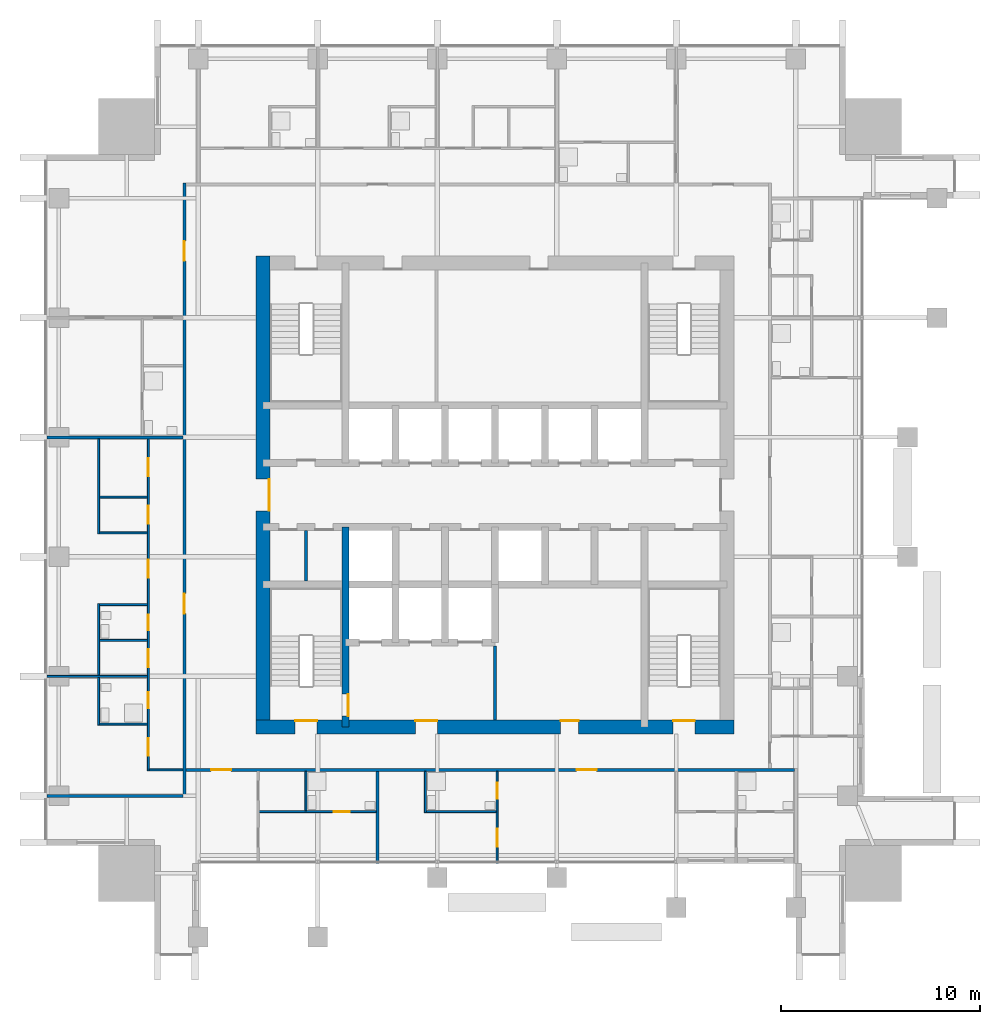
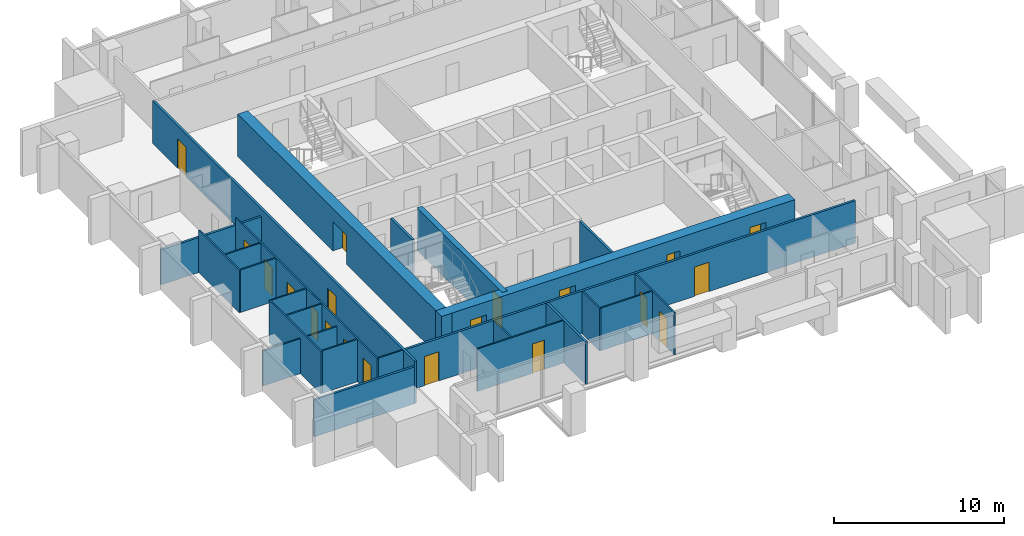
# One storey, part 8 of 14: 25 walls, 20 doors, 20 openings.
"""IFC4 building model written with IfcOpenShell, lengths in metres."""

from ifc_helpers import new_model, si_unit, direction, frame, frame_2d, origin, place, context, subcontext, project, spatial, rectangle, extrude, material, layer, layer_set, type_object, element, fill, save


model = new_model("IFC4")

# Units and contexts
model_context = context("Model", 3, precision=1e-05, world=origin(), true_north=direction((0.0, 1.0)))
body_context = subcontext(model_context, "Body", "Model", "MODEL_VIEW")
ifc_project = project(units=[si_unit("LENGTHUNIT", "METRE"), si_unit("AREAUNIT", "SQUARE_METRE"), si_unit("VOLUMEUNIT", "CUBIC_METRE"), si_unit("PLANEANGLEUNIT", "RADIAN"), si_unit("MASSUNIT", "GRAM", prefix="KILO")], contexts=[model_context])

# Site, building, storey
site_placement = place(None, origin())
site = spatial("IfcSite", under=ifc_project, at=site_placement, CompositionType="ELEMENT")
building_placement = place(site_placement, origin())
building = spatial("IfcBuilding", under=site, at=building_placement, Name="Amberfall Residences", CompositionType="ELEMENT")
storey_placement = place(building_placement, frame((0.0, 0.0, 168.10009765625)))
storey = spatial("IfcBuildingStorey", under=building, at=storey_placement, Name="L45", CompositionType="ELEMENT", Elevation=168.10009765625)

# Wall, opening, door
ifc_material_1 = material(Name="Concrete C60", Category="concrete")
ifc_layer_1 = layer(ifc_material_1, 0.35009765625)
ifc_layer_set_1 = layer_set([ifc_layer_1], Name="Core wall 350 C60")
wall_type_1 = type_object("IfcWallType", Name="Core wall 350 C60", PredefinedType="SHEAR", material=ifc_layer_set_1)
wall_1_placement = place(storey_placement, frame((67.0, 33.85009765625, 0.0), z_axis=(0.0, 0.0, 1.0), x_axis=(0.0, 1.0, 0.0)))
wall_1 = element("IfcWall", 1, at=wall_1_placement, inside=storey, type_object=wall_type_1, Name="Core wall RW6 L45 V45S", PredefinedType="SHEAR", context=body_context, shape_type="SweptSolid", body=[
    extrude(rectangle(XDim=10.0498046875, YDim=0.35009765625, at=frame_2d((5.02490234375, 0.0))), origin(), (0.0, 0.0, 1.0), 3.0498046875),
])
opening_1_placement = place(wall_1_placement, frame((0.550048828125, 0.0, 0.0)))
opening_1 = element("IfcOpeningElement", 2, at=opening_1_placement, cuts=wall_1, Name="Opening FL1", PredefinedType="OPENING", context=body_context, shape_type="SweptSolid", body=[
    extrude(rectangle(XDim=1.10009765625, YDim=2.10009765625, at=frame_2d((0.550048828125, 1.050048828125))), frame((0.0, 0.18505859375, 0.0), z_axis=(0.0, -1.0, 0.0), x_axis=(1.0, 0.0, 0.0)), (0.0, 0.0, 1.0), 0.3701171875),
])
ifc_material_2 = material(Name="Steel fire door set", Category="steel")
door_type_1 = type_object("IfcDoorType", Name="Firefighting lobby door 1100 x 2100", OperationType="SINGLE_SWING_LEFT", PredefinedType="DOOR", material=ifc_material_2)
door_1_placement = place(opening_1_placement, origin())
door_1 = element("IfcDoor", 3, at=door_1_placement, inside=storey, type_object=door_type_1, Name="FL1 L45", OperationType="SINGLE_SWING_RIGHT", OverallHeight=2.10009765625, OverallWidth=1.10009765625, PredefinedType="DOOR", context=body_context, shape_type="SweptSolid", body=[
    extrude(rectangle(XDim=1.10009765625, YDim=2.10009765625, at=frame_2d((0.550048828125, 1.050048828125))), frame((0.0, -0.1123046875, 0.0), z_axis=(0.0, -1.0, 0.0), x_axis=(1.0, 0.0, 0.0)), (0.0, 0.0, 1.0), 0.050048828125),
])
fill(opening_1, door_1)

# Wall, openings, doors
ifc_layer_2 = layer(ifc_material_1, 0.699951171875)
ifc_layer_set_2 = layer_set([ifc_layer_2], Name="Core wall 700 C60")
wall_type_2 = type_object("IfcWallType", Name="Core wall 700 C60", PredefinedType="SHEAR", material=ifc_layer_set_2)
wall_2_placement = place(storey_placement, frame((62.5, 33.85009765625, 0.0), z_axis=(0.0, 0.0, 1.0), x_axis=(1.0, 0.0, 0.0)))
wall_2 = element("IfcWall", 4, at=wall_2_placement, inside=storey, type_object=wall_type_2, Name="Core wall RW5 L45 OS", PredefinedType="SHEAR", context=body_context, shape_type="SweptSolid", body=[
    extrude(rectangle(XDim=24.0, YDim=0.699951171875, at=frame_2d((12.0, 0.0))), origin(), (0.0, 0.0, 1.0), 3.0498046875),
])
opening_2_placement = place(wall_2_placement, frame((1.96240234375, 0.0, 0.0)))
opening_2 = element("IfcOpeningElement", 5, at=opening_2_placement, cuts=wall_2, Name="Opening SD1", PredefinedType="OPENING", context=body_context, shape_type="SweptSolid", body=[
    extrude(rectangle(XDim=1.10009765625, YDim=2.10009765625, at=frame_2d((0.550048828125, 1.050048828125))), frame((0.0, 0.35986328125, 0.0), z_axis=(0.0, -1.0, 0.0), x_axis=(1.0, 0.0, 0.0)), (0.0, 0.0, 1.0), 0.719970703125),
])
opening_3_placement = place(wall_2_placement, frame((20.9375, 0.0, 0.0)))
opening_3 = element("IfcOpeningElement", 6, at=opening_3_placement, cuts=wall_2, Name="Opening SD1", PredefinedType="OPENING", context=body_context, shape_type="SweptSolid", body=[
    extrude(rectangle(XDim=1.10009765625, YDim=2.10009765625, at=frame_2d((0.550048828125, 1.050048828125))), frame((0.0, 0.35986328125, 0.0), z_axis=(0.0, -1.0, 0.0), x_axis=(1.0, 0.0, 0.0)), (0.0, 0.0, 1.0), 0.719970703125),
])
opening_4_placement = place(wall_2_placement, frame((8.0, 0.0, 0.0)))
opening_4 = element("IfcOpeningElement", 7, at=opening_4_placement, cuts=wall_2, Name="Opening FL1", PredefinedType="OPENING", context=body_context, shape_type="SweptSolid", body=[
    extrude(rectangle(XDim=1.10009765625, YDim=2.10009765625, at=frame_2d((0.550048828125, 1.050048828125))), frame((0.0, 0.35986328125, 0.0), z_axis=(0.0, -1.0, 0.0), x_axis=(1.0, 0.0, 0.0)), (0.0, 0.0, 1.0), 0.719970703125),
])
opening_5_placement = place(wall_2_placement, frame((15.300048828125, 0.0, 0.0)))
opening_5 = element("IfcOpeningElement", 8, at=opening_5_placement, cuts=wall_2, Name="Opening RD1", PredefinedType="OPENING", context=body_context, shape_type="SweptSolid", body=[
    extrude(rectangle(XDim=0.89990234375, YDim=2.10009765625, at=frame_2d((0.449951171875, 1.050048828125))), frame((0.0, 0.35986328125, 0.0), z_axis=(0.0, -1.0, 0.0), x_axis=(1.0, 0.0, 0.0)), (0.0, 0.0, 1.0), 0.719970703125),
])
door_2_placement = place(opening_4_placement, origin())
door_2 = element("IfcDoor", 9, at=door_2_placement, inside=storey, type_object=door_type_1, Name="FL1 L45", OperationType="SINGLE_SWING_LEFT", OverallHeight=2.10009765625, OverallWidth=1.10009765625, PredefinedType="DOOR", context=body_context, shape_type="SweptSolid", body=[
    extrude(rectangle(XDim=1.10009765625, YDim=2.10009765625, at=frame_2d((0.550048828125, 1.050048828125))), frame((0.0, 0.33740234375, 0.0), z_axis=(0.0, -1.0, 0.0), x_axis=(1.0, 0.0, 0.0)), (0.0, 0.0, 1.0), 0.050048828125),
])
fill(opening_4, door_2)
door_type_2 = type_object("IfcDoorType", Name="Service room door 900 x 2100", OperationType="SINGLE_SWING_LEFT", PredefinedType="DOOR", material=ifc_material_2)
door_3_placement = place(opening_5_placement, origin())
door_3 = element("IfcDoor", 10, at=door_3_placement, inside=storey, type_object=door_type_2, Name="RD1 L45", OperationType="SINGLE_SWING_LEFT", OverallHeight=2.10009765625, OverallWidth=0.89990234375, PredefinedType="DOOR", context=body_context, shape_type="SweptSolid", body=[
    extrude(rectangle(XDim=0.89990234375, YDim=2.10009765625, at=frame_2d((0.449951171875, 1.050048828125))), frame((0.0, 0.33740234375, 0.0), z_axis=(0.0, -1.0, 0.0), x_axis=(1.0, 0.0, 0.0)), (0.0, 0.0, 1.0), 0.050048828125),
])
fill(opening_5, door_3)
door_type_3 = type_object("IfcDoorType", Name="Stair door 1100 x 2100", OperationType="SINGLE_SWING_LEFT", PredefinedType="DOOR", material=ifc_material_2)
door_4_placement = place(opening_2_placement, origin())
door_4 = element("IfcDoor", 11, at=door_4_placement, inside=storey, type_object=door_type_3, Name="SD1 L45", OperationType="SINGLE_SWING_LEFT", OverallHeight=2.10009765625, OverallWidth=1.10009765625, PredefinedType="DOOR", context=body_context, shape_type="SweptSolid", body=[
    extrude(rectangle(XDim=1.10009765625, YDim=2.10009765625, at=frame_2d((0.550048828125, 1.050048828125))), frame((0.0, 0.33740234375, 0.0), z_axis=(0.0, -1.0, 0.0), x_axis=(1.0, 0.0, 0.0)), (0.0, 0.0, 1.0), 0.050048828125),
])
fill(opening_2, door_4)
door_5_placement = place(opening_3_placement, origin())
door_5 = element("IfcDoor", 12, at=door_5_placement, inside=storey, type_object=door_type_3, Name="SD1 L45", OperationType="SINGLE_SWING_RIGHT", OverallHeight=2.10009765625, OverallWidth=1.10009765625, PredefinedType="DOOR", context=body_context, shape_type="SweptSolid", body=[
    extrude(rectangle(XDim=1.10009765625, YDim=2.10009765625, at=frame_2d((0.550048828125, 1.050048828125))), frame((0.0, 0.33740234375, 0.0), z_axis=(0.0, -1.0, 0.0), x_axis=(1.0, 0.0, 0.0)), (0.0, 0.0, 1.0), 0.050048828125),
])
fill(opening_3, door_5)

# Wall, opening, door
wall_3_placement = place(storey_placement, frame((62.85009765625, 33.5, 0.0), z_axis=(0.0, 0.0, 1.0), x_axis=(0.0, 1.0, 0.0)))
wall_3 = element("IfcWall", 13, at=wall_3_placement, inside=storey, type_object=wall_type_2, Name="Core wall RW5 L45 OW", PredefinedType="SHEAR", context=body_context, shape_type="SweptSolid", body=[
    extrude(rectangle(XDim=24.0, YDim=0.699951171875, at=frame_2d((12.0, 0.0))), origin(), (0.0, 0.0, 1.0), 3.0498046875),
])
opening_6_placement = place(wall_3_placement, frame((11.199951171875, 0.0, 0.0)))
opening_6 = element("IfcOpeningElement", 14, at=opening_6_placement, cuts=wall_3, Name="Opening LB1", PredefinedType="OPENING", context=body_context, shape_type="SweptSolid", body=[
    extrude(rectangle(XDim=1.60009765625, YDim=2.10009765625, at=frame_2d((0.800048828125, 1.050048828125))), frame((0.0, 0.35986328125, 0.0), z_axis=(0.0, -1.0, 0.0), x_axis=(1.0, 0.0, 0.0)), (0.0, 0.0, 1.0), 0.719970703125),
])
door_type_4 = type_object("IfcDoorType", Name="Lift lobby double door 1600 x 2100", OperationType="DOUBLE_DOOR_SINGLE_SWING", PredefinedType="DOOR", material=ifc_material_2)
door_6_placement = place(opening_6_placement, origin())
door_6 = element("IfcDoor", 15, at=door_6_placement, inside=storey, type_object=door_type_4, Name="LB1 L45", OperationType="DOUBLE_DOOR_SINGLE_SWING", OverallHeight=2.10009765625, OverallWidth=1.60009765625, PredefinedType="DOOR", context=body_context, shape_type="SweptSolid", body=[
    extrude(rectangle(XDim=1.60009765625, YDim=2.10009765625, at=frame_2d((0.800048828125, 1.050048828125))), frame((0.0, -0.28759765625, 0.0), z_axis=(0.0, -1.0, 0.0), x_axis=(1.0, 0.0, 0.0)), (0.0, 0.0, 1.0), 0.050048828125),
])
fill(opening_6, door_6)

# Walls
ifc_material_3 = material(Name="Gypsum board on metal stud")
ifc_layer_3 = layer(ifc_material_3, 0.10009765625)
ifc_layer_set_3 = layer_set([ifc_layer_3], Name="Flat partition 100")
wall_type_3 = type_object("IfcWallType", Name="Flat partition 100", PredefinedType="PARTITIONING", material=ifc_layer_set_3)
wall_4_placement = place(storey_placement, frame((54.60009765625, 33.949951171875, 0.0), z_axis=(0.0, 0.0, 1.0), x_axis=(0.0, 1.0, 0.0)))
element("IfcWall", 16, at=wall_4_placement, inside=storey, type_object=wall_type_3, Name="Partition 001", PredefinedType="PARTITIONING", context=body_context, shape_type="SweptSolid", body=[
    extrude(rectangle(XDim=6.10009765625, YDim=0.10009765625, at=frame_2d((3.050048828125, 0.0))), origin(), (0.0, 0.0, 1.0), 3.0498046875),
])
wall_5_placement = place(storey_placement, frame((54.60009765625, 43.550048828125, 0.0), z_axis=(0.0, 0.0, 1.0), x_axis=(0.0, 1.0, 0.0)))
element("IfcWall", 17, at=wall_5_placement, inside=storey, type_object=wall_type_3, Name="Partition 002", PredefinedType="PARTITIONING", context=body_context, shape_type="SweptSolid", body=[
    extrude(rectangle(XDim=4.77490234375, YDim=0.10009765625, at=frame_2d((2.387451171875, 0.0))), origin(), (0.0, 0.0, 1.0), 3.0498046875),
])

# Wall, openings, doors
wall_6_placement = place(storey_placement, frame((57.10009765625, 31.64990234375, 0.0), z_axis=(0.0, 0.0, 1.0), x_axis=(0.0, 1.0, 0.0)))
wall_6 = element("IfcWall", 18, at=wall_6_placement, inside=storey, type_object=wall_type_3, Name="Partition 004", PredefinedType="PARTITIONING", context=body_context, shape_type="SweptSolid", body=[
    extrude(rectangle(XDim=16.675048828125, YDim=0.10009765625, at=frame_2d((8.33740234375, 0.0))), origin(), (0.0, 0.0, 1.0), 3.0498046875),
])
opening_7_placement = place(wall_6_placement, frame((9.699951171875, 0.0, 0.0)))
opening_7 = element("IfcOpeningElement", 19, at=opening_7_placement, cuts=wall_6, Name="Opening D41", PredefinedType="OPENING", context=body_context, shape_type="SweptSolid", body=[
    extrude(rectangle(XDim=0.89990234375, YDim=2.10009765625, at=frame_2d((0.449951171875, 1.050048828125))), frame((0.0, 0.06005859375, 0.0), z_axis=(0.0, -1.0, 0.0), x_axis=(1.0, 0.0, 0.0)), (0.0, 0.0, 1.0), 0.1201171875),
])
opening_8_placement = place(wall_6_placement, frame((14.800048828125, 0.0, 0.0)))
opening_8 = element("IfcOpeningElement", 20, at=opening_8_placement, cuts=wall_6, Name="Opening D41", PredefinedType="OPENING", context=body_context, shape_type="SweptSolid", body=[
    extrude(rectangle(XDim=0.89990234375, YDim=2.10009765625, at=frame_2d((0.449951171875, 1.050048828125))), frame((0.0, 0.06005859375, 0.0), z_axis=(0.0, -1.0, 0.0), x_axis=(1.0, 0.0, 0.0)), (0.0, 0.0, 1.0), 0.1201171875),
])
opening_9_placement = place(wall_6_placement, frame((12.39990234375, 0.0, 0.0)))
opening_9 = element("IfcOpeningElement", 21, at=opening_9_placement, cuts=wall_6, Name="Opening D41", PredefinedType="OPENING", context=body_context, shape_type="SweptSolid", body=[
    extrude(rectangle(XDim=0.89990234375, YDim=2.10009765625, at=frame_2d((0.449951171875, 1.050048828125))), frame((0.0, 0.06005859375, 0.0), z_axis=(0.0, -1.0, 0.0), x_axis=(1.0, 0.0, 0.0)), (0.0, 0.0, 1.0), 0.1201171875),
])
opening_10_placement = place(wall_6_placement, frame((5.199951171875, 0.0, 0.0)))
opening_10 = element("IfcOpeningElement", 22, at=opening_10_placement, cuts=wall_6, Name="Opening D41", PredefinedType="OPENING", context=body_context, shape_type="SweptSolid", body=[
    extrude(rectangle(XDim=0.89990234375, YDim=2.10009765625, at=frame_2d((0.449951171875, 1.050048828125))), frame((0.0, 0.06005859375, 0.0), z_axis=(0.0, -1.0, 0.0), x_axis=(1.0, 0.0, 0.0)), (0.0, 0.0, 1.0), 0.1201171875),
])
opening_11_placement = place(wall_6_placement, frame((7.050048828125, 0.0, 0.0)))
opening_11 = element("IfcOpeningElement", 23, at=opening_11_placement, cuts=wall_6, Name="Opening D42", PredefinedType="OPENING", context=body_context, shape_type="SweptSolid", body=[
    extrude(rectangle(XDim=0.800048828125, YDim=2.10009765625, at=frame_2d((0.39990234375, 1.050048828125))), frame((0.0, 0.06005859375, 0.0), z_axis=(0.0, -1.0, 0.0), x_axis=(1.0, 0.0, 0.0)), (0.0, 0.0, 1.0), 0.1201171875),
])
opening_12_placement = place(wall_6_placement, frame((0.75, 0.0, 0.0)))
opening_12 = element("IfcOpeningElement", 24, at=opening_12_placement, cuts=wall_6, Name="Opening D41", PredefinedType="OPENING", context=body_context, shape_type="SweptSolid", body=[
    extrude(rectangle(XDim=0.89990234375, YDim=2.10009765625, at=frame_2d((0.449951171875, 1.050048828125))), frame((0.0, 0.06005859375, 0.0), z_axis=(0.0, -1.0, 0.0), x_axis=(1.0, 0.0, 0.0)), (0.0, 0.0, 1.0), 0.1201171875),
])
opening_13_placement = place(wall_6_placement, frame((3.14990234375, 0.0, 0.0)))
opening_13 = element("IfcOpeningElement", 25, at=opening_13_placement, cuts=wall_6, Name="Opening D42", PredefinedType="OPENING", context=body_context, shape_type="SweptSolid", body=[
    extrude(rectangle(XDim=0.800048828125, YDim=2.10009765625, at=frame_2d((0.39990234375, 1.050048828125))), frame((0.0, 0.06005859375, 0.0), z_axis=(0.0, -1.0, 0.0), x_axis=(1.0, 0.0, 0.0)), (0.0, 0.0, 1.0), 0.1201171875),
])
ifc_material_4 = material(Name="Timber", Category="wood")
door_type_5 = type_object("IfcDoorType", Name="Bathroom door 800 x 2100", OperationType="SINGLE_SWING_LEFT", PredefinedType="DOOR", material=ifc_material_4)
door_7_placement = place(opening_11_placement, origin())
door_7 = element("IfcDoor", 26, at=door_7_placement, inside=storey, type_object=door_type_5, Name="Door 4508 wc1", OperationType="SINGLE_SWING_LEFT", OverallHeight=2.10009765625, OverallWidth=0.800048828125, PredefinedType="DOOR", context=body_context, shape_type="SweptSolid", body=[
    extrude(rectangle(XDim=0.800048828125, YDim=2.10009765625, at=frame_2d((0.39990234375, 1.050048828125))), frame((0.0, 0.02490234375, 0.0), z_axis=(0.0, -1.0, 0.0), x_axis=(1.0, 0.0, 0.0)), (0.0, 0.0, 1.0), 0.050048828125),
])
fill(opening_11, door_7)
door_8_placement = place(opening_13_placement, origin())
door_8 = element("IfcDoor", 27, at=door_8_placement, inside=storey, type_object=door_type_5, Name="Door 4508 bath1", OperationType="SINGLE_SWING_LEFT", OverallHeight=2.10009765625, OverallWidth=0.800048828125, PredefinedType="DOOR", context=body_context, shape_type="SweptSolid", body=[
    extrude(rectangle(XDim=0.800048828125, YDim=2.10009765625, at=frame_2d((0.39990234375, 1.050048828125))), frame((0.0, 0.02490234375, 0.0), z_axis=(0.0, -1.0, 0.0), x_axis=(1.0, 0.0, 0.0)), (0.0, 0.0, 1.0), 0.050048828125),
])
fill(opening_13, door_8)
door_type_6 = type_object("IfcDoorType", Name="Internal door 900 x 2100", OperationType="SINGLE_SWING_LEFT", PredefinedType="DOOR", material=ifc_material_4)
door_9_placement = place(opening_7_placement, origin())
door_9 = element("IfcDoor", 28, at=door_9_placement, inside=storey, type_object=door_type_6, Name="Door 4508 living", OperationType="SINGLE_SWING_LEFT", OverallHeight=2.10009765625, OverallWidth=0.89990234375, PredefinedType="DOOR", context=body_context, shape_type="SweptSolid", body=[
    extrude(rectangle(XDim=0.89990234375, YDim=2.10009765625, at=frame_2d((0.449951171875, 1.050048828125))), frame((0.0, 0.02490234375, 0.0), z_axis=(0.0, -1.0, 0.0), x_axis=(1.0, 0.0, 0.0)), (0.0, 0.0, 1.0), 0.050048828125),
])
fill(opening_7, door_9)
door_10_placement = place(opening_8_placement, origin())
door_10 = element("IfcDoor", 29, at=door_10_placement, inside=storey, type_object=door_type_6, Name="Door 4508 kitchen", OperationType="SINGLE_SWING_LEFT", OverallHeight=2.10009765625, OverallWidth=0.89990234375, PredefinedType="DOOR", context=body_context, shape_type="SweptSolid", body=[
    extrude(rectangle(XDim=0.89990234375, YDim=2.10009765625, at=frame_2d((0.449951171875, 1.050048828125))), frame((0.0, 0.02490234375, 0.0), z_axis=(0.0, -1.0, 0.0), x_axis=(1.0, 0.0, 0.0)), (0.0, 0.0, 1.0), 0.050048828125),
])
fill(opening_8, door_10)
door_11_placement = place(opening_9_placement, origin())
door_11 = element("IfcDoor", 30, at=door_11_placement, inside=storey, type_object=door_type_6, Name="Door 4508 utility", OperationType="SINGLE_SWING_LEFT", OverallHeight=2.10009765625, OverallWidth=0.89990234375, PredefinedType="DOOR", context=body_context, shape_type="SweptSolid", body=[
    extrude(rectangle(XDim=0.89990234375, YDim=2.10009765625, at=frame_2d((0.449951171875, 1.050048828125))), frame((0.0, 0.02490234375, 0.0), z_axis=(0.0, -1.0, 0.0), x_axis=(1.0, 0.0, 0.0)), (0.0, 0.0, 1.0), 0.050048828125),
])
fill(opening_9, door_11)
door_12_placement = place(opening_10_placement, origin())
door_12 = element("IfcDoor", 31, at=door_12_placement, inside=storey, type_object=door_type_6, Name="Door 4508 store", OperationType="SINGLE_SWING_LEFT", OverallHeight=2.10009765625, OverallWidth=0.89990234375, PredefinedType="DOOR", context=body_context, shape_type="SweptSolid", body=[
    extrude(rectangle(XDim=0.89990234375, YDim=2.10009765625, at=frame_2d((0.449951171875, 1.050048828125))), frame((0.0, 0.02490234375, 0.0), z_axis=(0.0, -1.0, 0.0), x_axis=(1.0, 0.0, 0.0)), (0.0, 0.0, 1.0), 0.050048828125),
])
fill(opening_10, door_12)
door_13_placement = place(opening_12_placement, origin())
door_13 = element("IfcDoor", 32, at=door_13_placement, inside=storey, type_object=door_type_6, Name="Door 4508 bedroom1", OperationType="SINGLE_SWING_LEFT", OverallHeight=2.10009765625, OverallWidth=0.89990234375, PredefinedType="DOOR", context=body_context, shape_type="SweptSolid", body=[
    extrude(rectangle(XDim=0.89990234375, YDim=2.10009765625, at=frame_2d((0.449951171875, 1.050048828125))), frame((0.0, 0.02490234375, 0.0), z_axis=(0.0, -1.0, 0.0), x_axis=(1.0, 0.0, 0.0)), (0.0, 0.0, 1.0), 0.050048828125),
])
fill(opening_12, door_13)

# Walls
wall_7_placement = place(storey_placement, frame((65.0, 29.64990234375, 0.0), z_axis=(0.0, 0.0, 1.0), x_axis=(0.0, 1.0, 0.0)))
element("IfcWall", 33, at=wall_7_placement, inside=storey, type_object=wall_type_3, Name="Partition 007", PredefinedType="PARTITIONING", context=body_context, shape_type="SweptSolid", body=[
    extrude(rectangle(XDim=1.97509765625, YDim=0.10009765625, at=frame_2d((0.987548828125, 0.0))), origin(), (0.0, 0.0, 1.0), 3.0498046875),
])
wall_8_placement = place(storey_placement, frame((71.0, 29.550048828125, 0.0), z_axis=(0.0, 0.0, 1.0), x_axis=(0.0, 1.0, 0.0)))
element("IfcWall", 34, at=wall_8_placement, inside=storey, type_object=wall_type_3, Name="Partition 010", PredefinedType="PARTITIONING", context=body_context, shape_type="SweptSolid", body=[
    extrude(rectangle(XDim=2.074951171875, YDim=0.10009765625, at=frame_2d((1.03759765625, 0.0))), origin(), (0.0, 0.0, 1.0), 3.0498046875),
])

# Wall, openings, doors
wall_9_placement = place(storey_placement, frame((74.60009765625, 27.0, 0.0), z_axis=(0.0, 0.0, 1.0), x_axis=(0.0, 1.0, 0.0)))
wall_9 = element("IfcWall", 35, at=wall_9_placement, inside=storey, type_object=wall_type_3, Name="Partition 013", PredefinedType="PARTITIONING", context=body_context, shape_type="SweptSolid", body=[
    extrude(rectangle(XDim=4.625, YDim=0.10009765625, at=frame_2d((2.3125, 0.0))), origin(), (0.0, 0.0, 1.0), 3.0498046875),
])
opening_14_placement = place(wall_9_placement, frame((0.85009765625, 0.0, 0.0)))
opening_14 = element("IfcOpeningElement", 36, at=opening_14_placement, cuts=wall_9, Name="Opening D41", PredefinedType="OPENING", context=body_context, shape_type="SweptSolid", body=[
    extrude(rectangle(XDim=0.89990234375, YDim=2.10009765625, at=frame_2d((0.449951171875, 1.050048828125))), frame((0.0, 0.06005859375, 0.0), z_axis=(0.0, -1.0, 0.0), x_axis=(1.0, 0.0, 0.0)), (0.0, 0.0, 1.0), 0.1201171875),
])
opening_15_placement = place(wall_9_placement, frame((3.25, 0.0, 0.0)))
opening_15 = element("IfcOpeningElement", 37, at=opening_15_placement, cuts=wall_9, Name="Opening D42", PredefinedType="OPENING", context=body_context, shape_type="SweptSolid", body=[
    extrude(rectangle(XDim=0.800048828125, YDim=2.10009765625, at=frame_2d((0.39990234375, 1.050048828125))), frame((0.0, 0.06005859375, 0.0), z_axis=(0.0, -1.0, 0.0), x_axis=(1.0, 0.0, 0.0)), (0.0, 0.0, 1.0), 0.1201171875),
])
door_14_placement = place(opening_15_placement, origin())
door_14 = element("IfcDoor", 38, at=door_14_placement, inside=storey, type_object=door_type_5, Name="Door 4502 bath1", OperationType="SINGLE_SWING_LEFT", OverallHeight=2.10009765625, OverallWidth=0.800048828125, PredefinedType="DOOR", context=body_context, shape_type="SweptSolid", body=[
    extrude(rectangle(XDim=0.800048828125, YDim=2.10009765625, at=frame_2d((0.39990234375, 1.050048828125))), frame((0.0, 0.02490234375, 0.0), z_axis=(0.0, -1.0, 0.0), x_axis=(1.0, 0.0, 0.0)), (0.0, 0.0, 1.0), 0.050048828125),
])
fill(opening_15, door_14)
door_15_placement = place(opening_14_placement, origin())
door_15 = element("IfcDoor", 39, at=door_15_placement, inside=storey, type_object=door_type_6, Name="Door 4502 bedroom1", OperationType="SINGLE_SWING_LEFT", OverallHeight=2.10009765625, OverallWidth=0.89990234375, PredefinedType="DOOR", context=body_context, shape_type="SweptSolid", body=[
    extrude(rectangle(XDim=0.89990234375, YDim=2.10009765625, at=frame_2d((0.449951171875, 1.050048828125))), frame((0.0, 0.02490234375, 0.0), z_axis=(0.0, -1.0, 0.0), x_axis=(1.0, 0.0, 0.0)), (0.0, 0.0, 1.0), 0.050048828125),
])
fill(opening_14, door_15)

# Walls
for number, where, z_axis, x_axis, name in (
    (40, (54.64990234375, 45.39990234375, 0.0), (0.0, 0.0, 1.0), (1.0, 0.0, 0.0), "Partition 032"),
    (41, (54.64990234375, 43.60009765625, 0.0), (0.0, 0.0, 1.0), (1.0, 0.0, 0.0), "Partition 033"),
    (42, (54.64990234375, 40.0, 0.0), (0.0, 0.0, 1.0), (1.0, 0.0, 0.0), "Partition 035"),
    (43, (54.64990234375, 38.199951171875, 0.0), (0.0, 0.0, 1.0), (1.0, 0.0, 0.0), "Partition 036"),
):
    element("IfcWall", number, at=place(storey_placement, frame(where, z_axis=z_axis, x_axis=x_axis)), inside=storey, type_object=wall_type_3, Name=name, PredefinedType="PARTITIONING", context=body_context, shape_type="SweptSolid", body=[
        extrude(rectangle(XDim=2.400146484375, YDim=0.10009765625, at=frame_2d((1.2001953125, 0.0))), origin(), (0.0, 0.0, 1.0), 3.0498046875),
    ])
wall_10_placement = place(storey_placement, frame((52.0, 36.39990234375, 0.0), z_axis=(0.0, 0.0, 1.0), x_axis=(1.0, 0.0, 0.0)))
element("IfcWall", 44, at=wall_10_placement, inside=storey, type_object=wall_type_3, Name="Partition 037", PredefinedType="PARTITIONING", context=body_context, shape_type="SweptSolid", body=[
    extrude(rectangle(XDim=5.050048828125, YDim=0.10009765625, at=frame_2d((2.52490234375, 0.0))), origin(), (0.0, 0.0, 1.0), 2.515869140625),
])
wall_11_placement = place(storey_placement, frame((54.64990234375, 34.0, 0.0), z_axis=(0.0, 0.0, 1.0), x_axis=(1.0, 0.0, 0.0)))
element("IfcWall", 45, at=wall_11_placement, inside=storey, type_object=wall_type_3, Name="Partition 039", PredefinedType="PARTITIONING", context=body_context, shape_type="SweptSolid", body=[
    extrude(rectangle(XDim=2.400146484375, YDim=0.10009765625, at=frame_2d((1.2001953125, 0.0))), origin(), (0.0, 0.0, 1.0), 3.0498046875),
])
wall_12_placement = place(storey_placement, frame((57.14990234375, 31.699951171875, 0.0), z_axis=(0.0, 0.0, 1.0), x_axis=(1.0, 0.0, 0.0)))
element("IfcWall", 46, at=wall_12_placement, inside=storey, type_object=wall_type_3, Name="Partition 041", PredefinedType="PARTITIONING", context=body_context, shape_type="SweptSolid", body=[
    extrude(rectangle(XDim=1.675048828125, YDim=0.10009765625, at=frame_2d((0.83740234375, 0.0))), origin(), (0.0, 0.0, 1.0), 3.0498046875),
])

# Wall, opening, door
wall_13_placement = place(storey_placement, frame((62.64990234375, 29.60009765625, 0.0), z_axis=(0.0, 0.0, 1.0), x_axis=(1.0, 0.0, 0.0)))
wall_13 = element("IfcWall", 47, at=wall_13_placement, inside=storey, type_object=wall_type_3, Name="Partition 042", PredefinedType="PARTITIONING", context=body_context, shape_type="SweptSolid", body=[
    extrude(rectangle(XDim=5.875, YDim=0.10009765625, at=frame_2d((2.9375, 0.0))), origin(), (0.0, 0.0, 1.0), 3.0498046875),
])
opening_16_placement = place(wall_13_placement, frame((3.75, 0.0, 0.0)))
opening_16 = element("IfcOpeningElement", 48, at=opening_16_placement, cuts=wall_13, Name="Opening D42", PredefinedType="OPENING", context=body_context, shape_type="SweptSolid", body=[
    extrude(rectangle(XDim=0.800048828125, YDim=2.10009765625, at=frame_2d((0.39990234375, 1.050048828125))), frame((0.0, 0.06005859375, 0.0), z_axis=(0.0, -1.0, 0.0), x_axis=(1.0, 0.0, 0.0)), (0.0, 0.0, 1.0), 0.1201171875),
])
door_16_placement = place(opening_16_placement, origin())
door_16 = element("IfcDoor", 49, at=door_16_placement, inside=storey, type_object=door_type_5, Name="Door 4501 bath1", OperationType="SINGLE_SWING_LEFT", OverallHeight=2.10009765625, OverallWidth=0.800048828125, PredefinedType="DOOR", context=body_context, shape_type="SweptSolid", body=[
    extrude(rectangle(XDim=0.800048828125, YDim=2.10009765625, at=frame_2d((0.39990234375, 1.050048828125))), frame((0.0, 0.02490234375, 0.0), z_axis=(0.0, -1.0, 0.0), x_axis=(1.0, 0.0, 0.0)), (0.0, 0.0, 1.0), 0.050048828125),
])
fill(opening_16, door_16)

# Wall
wall_14_placement = place(storey_placement, frame((71.050048828125, 29.60009765625, 0.0), z_axis=(0.0, 0.0, 1.0), x_axis=(1.0, 0.0, 0.0)))
element("IfcWall", 50, at=wall_14_placement, inside=storey, type_object=wall_type_3, Name="Partition 043", PredefinedType="PARTITIONING", context=body_context, shape_type="SweptSolid", body=[
    extrude(rectangle(XDim=3.5, YDim=0.10009765625, at=frame_2d((1.75, 0.0))), origin(), (0.0, 0.0, 1.0), 3.0498046875),
])

# Wall, openings, doors
ifc_material_5 = material(Name="Blockwork, plastered", Category="masonry")
ifc_layer_4 = layer(ifc_material_5, 0.14990234375)
ifc_layer_set_4 = layer_set([ifc_layer_4], Name="Flat separating wall 150")
wall_type_4 = type_object("IfcWallType", Name="Flat separating wall 150", PredefinedType="PARTITIONING", material=ifc_layer_set_4)
wall_15_placement = place(storey_placement, frame((58.89990234375, 30.324951171875, 0.0), z_axis=(0.0, 0.0, 1.0), x_axis=(0.0, 1.0, 0.0)))
wall_15 = element("IfcWall", 51, at=wall_15_placement, inside=storey, type_object=wall_type_4, Name="Separating wall 045", PredefinedType="PARTITIONING", context=body_context, shape_type="SweptSolid", body=[
    extrude(rectangle(XDim=30.85009765625, YDim=0.14990234375, at=frame_2d((15.425048828125, 0.0))), origin(), (0.0, 0.0, 1.0), 3.0498046875),
])
opening_17_placement = place(wall_15_placement, frame((9.22509765625, 0.0, 0.0)))
opening_17 = element("IfcOpeningElement", 52, at=opening_17_placement, cuts=wall_15, Name="Opening D40", PredefinedType="OPENING", context=body_context, shape_type="SweptSolid", body=[
    extrude(rectangle(XDim=1.0, YDim=2.10009765625, at=frame_2d((0.5, 1.050048828125))), frame((0.0, 0.0849609375, 0.0), z_axis=(0.0, -1.0, 0.0), x_axis=(1.0, 0.0, 0.0)), (0.0, 0.0, 1.0), 0.169921875),
])
opening_18_placement = place(wall_15_placement, frame((26.925048828125, 0.0, 0.0)))
opening_18 = element("IfcOpeningElement", 53, at=opening_18_placement, cuts=wall_15, Name="Opening D40", PredefinedType="OPENING", context=body_context, shape_type="SweptSolid", body=[
    extrude(rectangle(XDim=1.0, YDim=2.10009765625, at=frame_2d((0.5, 1.050048828125))), frame((0.0, 0.0849609375, 0.0), z_axis=(0.0, -1.0, 0.0), x_axis=(1.0, 0.0, 0.0)), (0.0, 0.0, 1.0), 0.169921875),
])
ifc_material_6 = material(Name="Timber, fire-rated", Category="wood")
door_type_7 = type_object("IfcDoorType", Name="Flat entrance door FD60 1000 x 2100", OperationType="SINGLE_SWING_LEFT", PredefinedType="DOOR", material=ifc_material_6)
door_17_placement = place(opening_17_placement, origin())
door_17 = element("IfcDoor", 54, at=door_17_placement, inside=storey, type_object=door_type_7, Name="Door 4508 entrance", OperationType="SINGLE_SWING_LEFT", OverallHeight=2.10009765625, OverallWidth=1.0, PredefinedType="DOOR", context=body_context, shape_type="SweptSolid", body=[
    extrude(rectangle(XDim=1.0, YDim=2.10009765625, at=frame_2d((0.5, 1.050048828125))), frame((0.0, 0.02490234375, 0.0), z_axis=(0.0, -1.0, 0.0), x_axis=(1.0, 0.0, 0.0)), (0.0, 0.0, 1.0), 0.050048828125),
])
fill(opening_17, door_17)
door_18_placement = place(opening_18_placement, origin())
door_18 = element("IfcDoor", 55, at=door_18_placement, inside=storey, type_object=door_type_7, Name="Door 4509 entrance", OperationType="SINGLE_SWING_LEFT", OverallHeight=2.10009765625, OverallWidth=1.0, PredefinedType="DOOR", context=body_context, shape_type="SweptSolid", body=[
    extrude(rectangle(XDim=1.0, YDim=2.10009765625, at=frame_2d((0.5, 1.050048828125))), frame((0.0, 0.02490234375, 0.0), z_axis=(0.0, -1.0, 0.0), x_axis=(1.0, 0.0, 0.0)), (0.0, 0.0, 1.0), 0.050048828125),
])
fill(opening_18, door_18)

# Walls
wall_16_placement = place(storey_placement, frame((68.60009765625, 27.0, 0.0), z_axis=(0.0, 0.0, 1.0), x_axis=(0.0, 1.0, 0.0)))
element("IfcWall", 56, at=wall_16_placement, inside=storey, type_object=wall_type_4, Name="Separating wall 047", PredefinedType="PARTITIONING", context=body_context, shape_type="SweptSolid", body=[
    extrude(rectangle(XDim=4.625, YDim=0.14990234375, at=frame_2d((2.3125, 0.0))), origin(), (0.0, 0.0, 1.0), 3.0498046875),
])
wall_17_placement = place(storey_placement, frame((52.0, 48.39990234375, 0.0), z_axis=(0.0, 0.0, 1.0), x_axis=(1.0, 0.0, 0.0)))
element("IfcWall", 57, at=wall_17_placement, inside=storey, type_object=wall_type_4, Name="Separating wall 054", PredefinedType="PARTITIONING", context=body_context, shape_type="SweptSolid", body=[
    extrude(rectangle(XDim=6.824951171875, YDim=0.14990234375, at=frame_2d((3.41259765625, 0.0))), origin(), (0.0, 0.0, 1.0), 2.515869140625),
])

# Wall, openings, doors
wall_18_placement = place(storey_placement, frame((89.52490234375, 31.699951171875, 0.0), z_axis=(0.0, 0.0, 1.0), x_axis=(-1.0, 0.0, 0.0)))
wall_18 = element("IfcWall", 58, at=wall_18_placement, inside=storey, type_object=wall_type_4, Name="Separating wall 056", PredefinedType="PARTITIONING", context=body_context, shape_type="SweptSolid", body=[
    extrude(rectangle(XDim=30.5498046875, YDim=0.14990234375, at=frame_2d((15.27490234375, 0.0))), origin(), (0.0, 0.0, 1.0), 3.0498046875),
])
opening_19_placement = place(wall_18_placement, frame((28.27490234375, 0.0, 0.0)))
opening_19 = element("IfcOpeningElement", 59, at=opening_19_placement, cuts=wall_18, Name="Opening D40", PredefinedType="OPENING", context=body_context, shape_type="SweptSolid", body=[
    extrude(rectangle(XDim=1.0, YDim=2.10009765625, at=frame_2d((0.5, 1.050048828125))), frame((0.0, 0.0849609375, 0.0), z_axis=(0.0, -1.0, 0.0), x_axis=(1.0, 0.0, 0.0)), (0.0, 0.0, 1.0), 0.169921875),
])
opening_20_placement = place(wall_18_placement, frame((9.925048828125, 0.0, 0.0)))
opening_20 = element("IfcOpeningElement", 60, at=opening_20_placement, cuts=wall_18, Name="Opening D40", PredefinedType="OPENING", context=body_context, shape_type="SweptSolid", body=[
    extrude(rectangle(XDim=1.0, YDim=2.10009765625, at=frame_2d((0.5, 1.050048828125))), frame((0.0, 0.0849609375, 0.0), z_axis=(0.0, -1.0, 0.0), x_axis=(1.0, 0.0, 0.0)), (0.0, 0.0, 1.0), 0.169921875),
])
door_19_placement = place(opening_19_placement, origin())
door_19 = element("IfcDoor", 61, at=door_19_placement, inside=storey, type_object=door_type_7, Name="Door 4501 entrance", OperationType="SINGLE_SWING_LEFT", OverallHeight=2.10009765625, OverallWidth=1.0, PredefinedType="DOOR", context=body_context, shape_type="SweptSolid", body=[
    extrude(rectangle(XDim=1.0, YDim=2.10009765625, at=frame_2d((0.5, 1.050048828125))), frame((0.0, 0.02490234375, 0.0), z_axis=(0.0, -1.0, 0.0), x_axis=(1.0, 0.0, 0.0)), (0.0, 0.0, 1.0), 0.050048828125),
])
fill(opening_19, door_19)
door_20_placement = place(opening_20_placement, origin())
door_20 = element("IfcDoor", 62, at=door_20_placement, inside=storey, type_object=door_type_7, Name="Door 4502 entrance", OperationType="SINGLE_SWING_LEFT", OverallHeight=2.10009765625, OverallWidth=1.0, PredefinedType="DOOR", context=body_context, shape_type="SweptSolid", body=[
    extrude(rectangle(XDim=1.0, YDim=2.10009765625, at=frame_2d((0.5, 1.050048828125))), frame((0.0, 0.02490234375, 0.0), z_axis=(0.0, -1.0, 0.0), x_axis=(1.0, 0.0, 0.0)), (0.0, 0.0, 1.0), 0.050048828125),
])
fill(opening_20, door_20)

# Walls
wall_19_placement = place(storey_placement, frame((52.0, 30.39990234375, 0.0), z_axis=(0.0, 0.0, 1.0), x_axis=(1.0, 0.0, 0.0)))
element("IfcWall", 63, at=wall_19_placement, inside=storey, type_object=wall_type_4, Name="Separating wall 057", PredefinedType="PARTITIONING", context=body_context, shape_type="SweptSolid", body=[
    extrude(rectangle(XDim=6.824951171875, YDim=0.14990234375, at=frame_2d((3.41259765625, 0.0))), origin(), (0.0, 0.0, 1.0), 2.64697265625),
])
ifc_material_7 = material(Name="Concrete blockwork", Category="masonry")
ifc_layer_5 = layer(ifc_material_7, 0.14990234375)
ifc_layer_set_5 = layer_set([ifc_layer_5], Name="Riser wall 150")
wall_type_5 = type_object("IfcWallType", Name="Riser wall 150", PredefinedType="PLUMBINGWALL", material=ifc_layer_set_5)
wall_20_placement = place(storey_placement, frame((74.5, 34.199951171875, 0.0), z_axis=(0.0, 0.0, 1.0), x_axis=(0.0, 1.0, 0.0)))
element("IfcWall", 64, at=wall_20_placement, inside=storey, type_object=wall_type_5, Name="L45 core wall PX", PredefinedType="PLUMBINGWALL", context=body_context, shape_type="SweptSolid", body=[
    extrude(rectangle(XDim=3.72509765625, YDim=0.14990234375, at=frame_2d((1.862548828125, 0.0))), origin(), (0.0, 0.0, 1.0), 3.0498046875),
])
wall_21_placement = place(storey_placement, frame((65.012451171875, 41.175048828125, 0.0), z_axis=(0.0, 0.0, 1.0), x_axis=(0.0, 1.0, 0.0)))
element("IfcWall", 65, at=wall_21_placement, inside=storey, type_object=wall_type_5, Name="L45 core wall ASW0", PredefinedType="PLUMBINGWALL", context=body_context, shape_type="SweptSolid", body=[
    extrude(rectangle(XDim=2.550048828125, YDim=0.14990234375, at=frame_2d((1.27490234375, 0.0))), origin(), (0.0, 0.0, 1.0), 3.0498046875),
])

save(model, "model.ifc")
